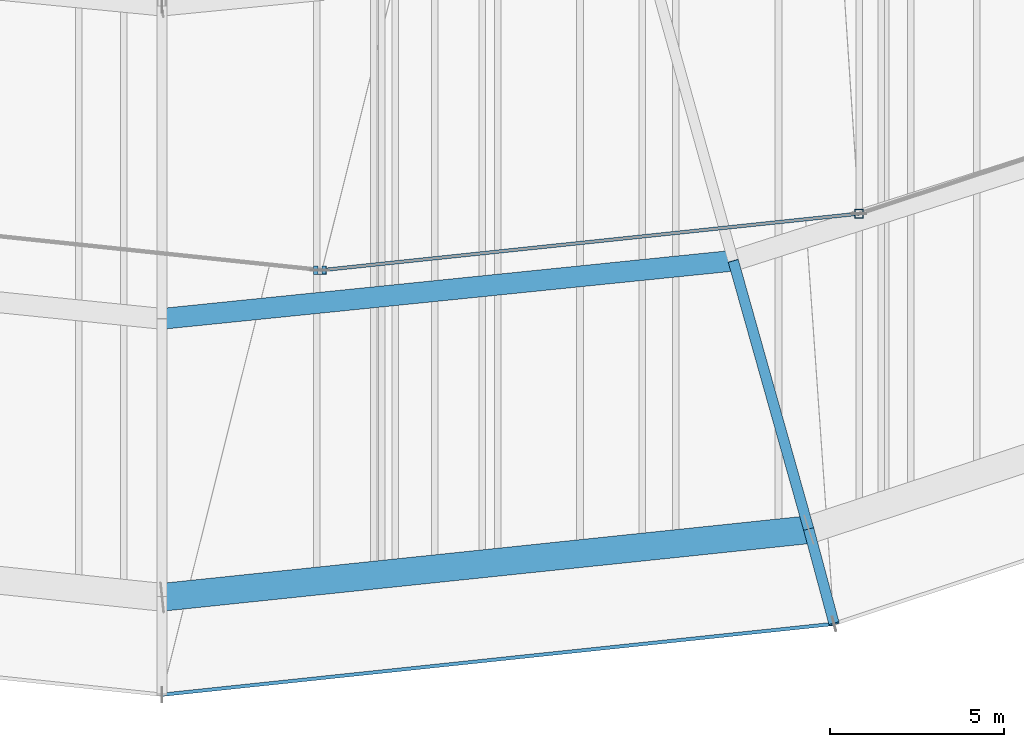
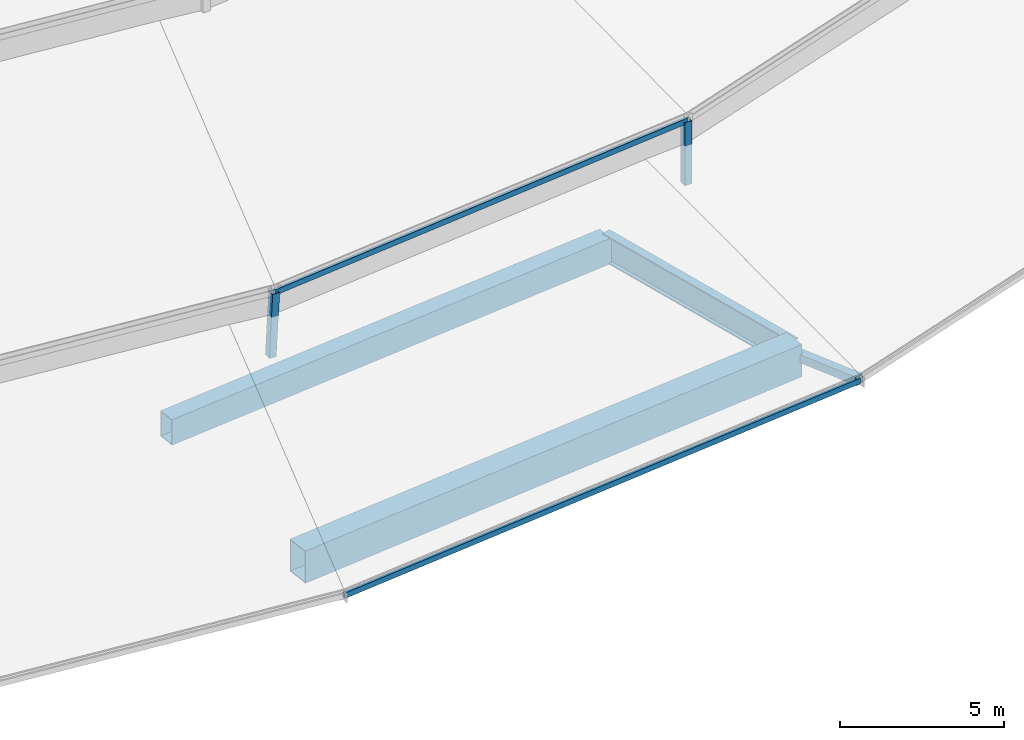
# One storey, part 33 of 184: 5 members, 3 beams.
"""IFC4 building model written with IfcOpenShell, lengths in metres."""

import ifcopenshell
import ifcopenshell.guid

model = None  # the IFC model being written
_history = None  # IfcOwnerHistory: only IFC2X3 demands one
_inside = {}  # id of a spatial element -> (the spatial element, [elements in it])
_under = {}  # id of a project, library or spatial element -> (it, [spatial elements below it])
_declared = {}  # id of a project -> (the project, [libraries it declares])
_typed = {}  # id of a type object -> (the type object, [elements of that type])
_made_of = {}  # id of a material, layer set ... -> (it, [elements and type objects made of it])


def new_model(schema):
    """Start an empty IFC model of exactly this schema.

    Asked for "IFC4X3", IfcOpenShell would pick the latest addendum, in which some entities
    have other attributes; the version numbers below select the first issue.
    IFC2X3 requires an IfcOwnerHistory on every rooted entity: one is made here for all.
    """
    global model, _history
    if schema == "IFC4X3":
        model = ifcopenshell.file(schema_version=(4, 3, 0, 0))
    else:
        model = ifcopenshell.file(schema=schema)
    _inside.clear()
    _under.clear()
    _declared.clear()
    _typed.clear()
    _made_of.clear()
    _history = None
    if model.schema == "IFC2X3":
        org = make("IfcOrganization", Name="unknown")
        user = make(
            "IfcPersonAndOrganization",
            ThePerson=make("IfcPerson", FamilyName="unknown"),
            TheOrganization=org,
        )
        app = make(
            "IfcApplication",
            ApplicationDeveloper=org,
            Version="unknown",
            ApplicationFullName="unknown",
            ApplicationIdentifier="unknown",
        )
        _history = make(
            "IfcOwnerHistory",
            OwningUser=user,
            OwningApplication=app,
            ChangeAction="ADDED",
            CreationDate=0,
        )
    return model


def make(cls, **values):
    """One entity of the class cls with the attributes given. An attribute that is None is left unset."""
    return model.create_entity(
        cls, **{name: value for name, value in values.items() if value is not None}
    )


def rooted(cls, **values):
    """An entity with a GlobalId (a new one), such as an element, a storey or a relation."""
    return make(cls, GlobalId=ifcopenshell.guid.new(), OwnerHistory=_history, **values)


def si_unit(unit_type, name, prefix=None):
    """IfcSIUnit, for example si_unit("LENGTHUNIT", "METRE", prefix="MILLI")."""
    return make("IfcSIUnit", UnitType=unit_type, Prefix=prefix, Name=name)


def assignment(units):
    """IfcUnitAssignment: the units of a project."""
    return None if units is None else make("IfcUnitAssignment", Units=units)


def point(xyz):
    """IfcCartesianPoint."""
    return None if xyz is None else make("IfcCartesianPoint", Coordinates=xyz)


def direction(xyz):
    """IfcDirection."""
    return None if xyz is None else make("IfcDirection", DirectionRatios=xyz)


def frame(location, z_axis=None, x_axis=None):
    """IfcAxis2Placement3D, a coordinate frame: its origin and axes. An axis left out is left unset."""
    return make(
        "IfcAxis2Placement3D",
        Location=point(location),
        Axis=direction(z_axis),
        RefDirection=direction(x_axis),
    )


def frame_2d(location, x_axis=None):
    """IfcAxis2Placement2D, a coordinate frame in the plane: its origin and x axis."""
    return make(
        "IfcAxis2Placement2D", Location=point(location), RefDirection=direction(x_axis)
    )


def origin():
    """The frame at (0, 0, 0) with its axes left unset."""
    return frame((0.0, 0.0, 0.0))


def origin_2d():
    """The frame at (0, 0) in the plane with its x axis left unset."""
    return frame_2d((0.0, 0.0))


def place(relative_to, where):
    """IfcLocalPlacement: puts the frame where relative to a parent placement (None: the world)."""
    return make(
        "IfcLocalPlacement", PlacementRelTo=relative_to, RelativePlacement=where
    )


def context(
    kind, dimensions, precision=None, world=None, true_north=None, identifier=None
):
    """IfcGeometricRepresentationContext, for example the 3D "Model" context."""
    return make(
        "IfcGeometricRepresentationContext",
        ContextIdentifier=identifier,
        ContextType=kind,
        CoordinateSpaceDimension=dimensions,
        Precision=precision,
        WorldCoordinateSystem=world,
        TrueNorth=true_north,
    )


def subcontext(parent, identifier, kind, view, scale=None):
    """IfcGeometricRepresentationSubContext, for example "Body" below "Model"."""
    return make(
        "IfcGeometricRepresentationSubContext",
        ContextIdentifier=identifier,
        ContextType=kind,
        ParentContext=parent,
        TargetScale=scale,
        TargetView=view,
    )


def project(units=None, contexts=None):
    """IfcProject with its units and contexts."""
    return rooted(
        "IfcProject",
        Name="project",
        RepresentationContexts=contexts,
        UnitsInContext=assignment(units),
    )


def spatial(cls, under=None, at=None, **own):
    """A site, building, storey or space (cls), placed at a placement, below another one or the project."""
    s = rooted(cls, ObjectPlacement=at, **own)
    if under is not None:
        _under.setdefault(under.id(), (under, []))[1].append(s)
    return s


def profile(cls, at=None, kind="AREA", **sizes):
    """A parametric profile (cls). Its sizes go by their IFC names, for example OverallWidth=200.0."""
    return make(cls, ProfileType=kind, Position=at, **sizes)


def hollow_rectangle(**sizes):
    """IfcRectangleHollowProfileDef."""
    return profile("IfcRectangleHollowProfileDef", **sizes)


def i_section(**sizes):
    """IfcIShapeProfileDef."""
    return profile("IfcIShapeProfileDef", **sizes)


def extrude(swept, where, along, depth):
    """IfcExtrudedAreaSolid: the profile swept, set in the frame where, extruded along a direction by depth."""
    return make(
        "IfcExtrudedAreaSolid",
        SweptArea=swept,
        Position=where,
        ExtrudedDirection=direction(along),
        Depth=depth,
    )


def shape(context_of_items, identifier, shape_type, items):
    """IfcShapeRepresentation: the items that make up one representation, for example the "Body"."""
    return make(
        "IfcShapeRepresentation",
        ContextOfItems=context_of_items,
        RepresentationIdentifier=identifier,
        RepresentationType=shape_type,
        Items=items,
    )


def material(Name=None, Category=None):
    """IfcMaterial."""
    return make("IfcMaterial", Name=Name, Category=Category)


def material_profile(
    of_material, cross_section, Name=None, Category=None, Priority=None
):
    """IfcMaterialProfile: a cross section and its material."""
    return make(
        "IfcMaterialProfile",
        Name=Name,
        Material=of_material,
        Profile=cross_section,
        Priority=Priority,
        Category=Category,
    )


def profile_set(profiles, Name=None, composite=None):
    """IfcMaterialProfileSet."""
    return make(
        "IfcMaterialProfileSet",
        Name=Name,
        MaterialProfiles=profiles,
        CompositeProfile=composite,
    )


def made_of(thing, what):
    """Note that an element or type object is made of a material, layer set ...; save() writes the relation."""
    if what is not None:
        _made_of.setdefault(what.id(), (what, []))[1].append(thing)
    return thing


def type_object(cls, material=None, **own):
    """A type object (cls), such as IfcWallType, which elements share."""
    return made_of(rooted(cls, **own), material)


def element(
    cls,
    number,
    at=None,
    inside=None,
    cuts=None,
    type_object=None,
    material=None,
    context=None,
    identifier="Body",
    shape_type=None,
    held_by="IfcProductDefinitionShape",
    body=None,
    shapes=None,
    **own,
):
    """One element of the class cls, such as IfcWall. Its Tag is "e" and its number.

    at: its placement. inside: the storey or other place that contains it. cuts: it is an
    opening in that element (IfcRelVoidsElement). A single representation is given by context,
    identifier, shape_type and body (its items); several are given by shapes. held_by: the class
    of the entity that holds the representations. save() writes the other relations.
    """
    e = rooted(cls, Tag="e%d" % number, ObjectPlacement=at, **own)
    if body is not None:
        shapes = [shape(context, identifier, shape_type, body)]
    if shapes is not None:
        e.Representation = make(held_by, Representations=shapes)
    if inside is not None:
        _inside.setdefault(inside.id(), (inside, []))[1].append(e)
    if cuts is not None:
        rooted(
            "IfcRelVoidsElement", RelatingBuildingElement=cuts, RelatedOpeningElement=e
        )
    if type_object is not None:
        _typed.setdefault(type_object.id(), (type_object, []))[1].append(e)
    return made_of(e, material)


def aggregate(whole, parts):
    """IfcRelAggregates: a whole, such as a stair, and the parts it consists of."""
    return rooted("IfcRelAggregates", RelatingObject=whole, RelatedObjects=parts)


def save(model, path):
    """Write the relations noted so far, then the file.

    IfcRelAggregates (storeys below a building ...), IfcRelContainedInSpatialStructure (elements
    in a storey), IfcRelDefinesByType, IfcRelAssociatesMaterial and IfcRelDeclares: one each for
    every whole, place, type object, material and project.
    """
    for whole, parts in _under.values():
        aggregate(whole, parts)
    for where, things in _inside.values():
        rooted(
            "IfcRelContainedInSpatialStructure",
            RelatedElements=things,
            RelatingStructure=where,
        )
    for kind, things in _typed.values():
        rooted("IfcRelDefinesByType", RelatedObjects=things, RelatingType=kind)
    for what, things in _made_of.values():
        rooted("IfcRelAssociatesMaterial", RelatedObjects=things, RelatingMaterial=what)
    for by, libraries in _declared.values():
        rooted("IfcRelDeclares", RelatingContext=by, RelatedDefinitions=libraries)
    model.write(path)


model = new_model("IFC4")

# Units and contexts
model_context = context("Model", 3, precision=1e-05, world=origin(), true_north=direction((0.0, 1.0)))
body_context = subcontext(model_context, "Body", "Model", "MODEL_VIEW")
ifc_project = project(units=[si_unit("LENGTHUNIT", "METRE"), si_unit("AREAUNIT", "SQUARE_METRE"), si_unit("VOLUMEUNIT", "CUBIC_METRE"), si_unit("PLANEANGLEUNIT", "RADIAN"), si_unit("MASSUNIT", "GRAM", prefix="KILO")], contexts=[model_context])

# Site, building, storey
site_placement = place(None, origin())
site = spatial("IfcSite", under=ifc_project, at=site_placement, CompositionType="ELEMENT")
building_placement = place(site_placement, origin())
building = spatial("IfcBuilding", under=site, at=building_placement, Name="Kalgoora Escarpment Arena", CompositionType="ELEMENT")
storey_placement = place(building_placement, frame((0.0, 0.0, 27.60009765625)))
storey = spatial("IfcBuildingStorey", under=building, at=storey_placement, Name="Roof Level", CompositionType="ELEMENT", Elevation=27.60009765625)

# Beams
ifc_material_1 = material(Name="Structural steel Grade 350 (350 MPa)", Category="steel")
ifc_material_profile_1 = material_profile(ifc_material_1, hollow_rectangle(XDim=0.800048828125, YDim=1.199951171875, WallThickness=0.031982421875, at=origin_2d()))
ifc_profile_set_1 = profile_set([ifc_material_profile_1], Name="Structural steel Grade 350 (350 MPa)")
beam_type_1 = type_object("IfcBeamType", Name="BM-RING-BOX1200", PredefinedType="USERDEFINED", material=ifc_profile_set_1)
beam_1_placement = place(storey_placement, frame((92.39990234375, 7.0, -1.4501953125), z_axis=(0.994583146525, 0.103944045753, 0.0), x_axis=(-0.103944045753, 0.994583146525, 0.0)))
element("IfcBeam", 1, at=beam_1_placement, inside=storey, type_object=beam_type_1, Name="Outer perimeter compression RING BEAM chord 19", ObjectType="GIRDER", PredefinedType="USERDEFINED", context=body_context, shape_type="SweptSolid", body=[
    extrude(hollow_rectangle(XDim=0.800048828125, YDim=1.199951171875, WallThickness=0.031982421875, at=origin_2d()), origin(), (0.0, 0.0, 1.0), 18.6845703125),
])
ifc_material_2 = material(Name="Structural steel Grade 350 (350 MPa)", Category="steel")
ifc_material_profile_2 = material_profile(ifc_material_2, hollow_rectangle(XDim=0.60009765625, YDim=0.949951171875, WallThickness=0.02490234375, at=origin_2d()))
ifc_profile_set_2 = profile_set([ifc_material_profile_2], Name="Structural steel Grade 350 (350 MPa)")
beam_type_2 = type_object("IfcBeamType", Name="BM-RING-BOX950", PredefinedType="USERDEFINED", material=ifc_profile_set_2)
beam_2_placement = place(storey_placement, frame((92.39990234375, 15.0, -1.35009765625), z_axis=(0.994863052963, 0.101229965173, 0.0), x_axis=(-0.101229965173, 0.994863052963, 0.0)))
element("IfcBeam", 2, at=beam_2_placement, inside=storey, type_object=beam_type_2, Name="Concourse roof RING BEAM chord 19", ObjectType="GIRDER", PredefinedType="USERDEFINED", context=body_context, shape_type="SweptSolid", body=[
    extrude(hollow_rectangle(XDim=0.60009765625, YDim=0.949951171875, WallThickness=0.02490234375, at=origin_2d()), origin(), (0.0, 0.0, 1.0), 16.493896484375),
])
ifc_material_3 = material(Name="Structural steel Grade 350 (350 MPa)", Category="steel")
ifc_material_profile_3 = material_profile(ifc_material_3, i_section(OverallWidth=0.300048828125, OverallDepth=1.010009765625, WebThickness=0.01611328125, FlangeThickness=0.030029296875, at=origin_2d()))
ifc_profile_set_3 = profile_set([ifc_material_profile_3], Name="Structural steel Grade 350 (350 MPa)")
beam_type_3 = type_object("IfcBeamType", Name="BM-TRUSS-CHORD", PredefinedType="USERDEFINED", material=ifc_profile_set_3)
beam_3_placement = place(storey_placement, frame((110.983154296875, 8.942138671875, -1.400146484375), z_axis=(-0.270805551558, 0.962553320372, 0.012468307259), x_axis=(-0.962628147734, -0.27082660355, 0.0)))
element("IfcBeam", 3, at=beam_3_placement, inside=storey, type_object=beam_type_3, Name="Outer radial petal support girder R20", ObjectType="GIRDER", PredefinedType="USERDEFINED", context=body_context, shape_type="SweptSolid", body=[
    extrude(i_section(OverallWidth=0.300048828125, OverallDepth=1.010009765625, WebThickness=0.01611328125, FlangeThickness=0.030029296875, at=origin_2d()), origin(), (0.0, 0.0, 1.0), 8.028076171875),
])

# Members
ifc_material_4 = material(Name="Structural steel C450 (450 MPa)", Category="steel")
ifc_material_profile_4 = material_profile(ifc_material_4, hollow_rectangle(XDim=0.25, YDim=0.25, WallThickness=0.012451171875, at=origin_2d()))
ifc_profile_set_4 = profile_set([ifc_material_profile_4], Name="Structural steel C450 (450 MPa)")
member_type_1 = type_object("IfcMemberType", Name="MEM-PETAL-POST", PredefinedType="POST", material=ifc_profile_set_4)
member_1_placement = place(storey_placement, frame((96.8798828125, 16.39990234375, -1.080078125), z_axis=(0.051156252532, 0.0, 0.99869066173), x_axis=(0.0, 1.0, 0.0)))
element("IfcMember", 4, at=member_1_placement, inside=storey, type_object=member_type_1, Name="Petal RP2 vertical support post S19", PredefinedType="POST", context=body_context, shape_type="SweptSolid", body=[
    extrude(hollow_rectangle(XDim=0.25, YDim=0.25, WallThickness=0.012451171875, at=origin_2d()), origin(), (0.0, 0.0, 1.0), 2.34814453125),
])
member_2_placement = place(storey_placement, frame((112.425537109375, 18.02197265625, -1.080078125), z_axis=(0.0, 0.0, 1.0), x_axis=(1.0, 0.0, 0.0)))
element("IfcMember", 5, at=member_2_placement, inside=storey, type_object=member_type_1, Name="Petal RP2 vertical support post S20", PredefinedType="POST", context=body_context, shape_type="SweptSolid", body=[
    extrude(hollow_rectangle(XDim=0.25, YDim=0.25, WallThickness=0.012451171875, at=origin_2d()), origin(), (0.0, 0.0, 1.0), 2.344970703125),
])
ifc_material_5 = material(Name="Structural steel C350 (350 MPa)", Category="steel")
ifc_material_profile_5 = material_profile(ifc_material_5, hollow_rectangle(XDim=0.10009765625, YDim=0.199951171875, WallThickness=0.009033203125, at=origin_2d()))
ifc_profile_set_5 = profile_set([ifc_material_profile_5], Name="Structural steel C350 (350 MPa)")
member_type_2 = type_object("IfcMemberType", Name="MEM-PURLIN-RHS", PredefinedType="PURLIN", material=ifc_profile_set_5)
member_3_placement = place(storey_placement, frame((92.39990234375, 4.199951171875, -1.02001953125), z_axis=(0.994477719458, 0.104947918046, 0.0), x_axis=(-0.104947918046, 0.994477719458, 0.0)))
element("IfcMember", 6, at=member_3_placement, inside=storey, type_object=member_type_2, Name="Petal RP1 eave support ring purlin S19", PredefinedType="PURLIN", context=body_context, shape_type="SweptSolid", body=[
    extrude(hollow_rectangle(XDim=0.10009765625, YDim=0.199951171875, WallThickness=0.009033203125, at=origin_2d()), origin(), (0.0, 0.0, 1.0), 19.415283203125),
])
member_4_placement = place(storey_placement, frame((97.0, 16.39990234375, 1.244873046875), z_axis=(0.994516659455, 0.104578267658, 0.0), x_axis=(-0.104578267658, 0.994516659455, 0.0)))
element("IfcMember", 7, at=member_4_placement, inside=storey, type_object=member_type_2, Name="Petal RP2 eave support ring purlin S19", PredefinedType="PURLIN", context=body_context, shape_type="SweptSolid", body=[
    extrude(hollow_rectangle(XDim=0.10009765625, YDim=0.199951171875, WallThickness=0.009033203125, at=origin_2d()), origin(), (0.0, 0.0, 1.0), 15.510498046875),
])
ifc_material_6 = material(Name="Structural steel C450 (450 MPa)", Category="steel")
ifc_material_profile_6 = material_profile(ifc_material_6, hollow_rectangle(XDim=0.300048828125, YDim=0.300048828125, WallThickness=0.012451171875, at=origin_2d()))
ifc_profile_set_6 = profile_set([ifc_material_profile_6], Name="Structural steel C450 (450 MPa)")
member_type_3 = type_object("IfcMemberType", Name="MEM-TRUSS-POST", PredefinedType="POST", material=ifc_profile_set_6)
member_5_placement = place(storey_placement, frame((110.983154296875, 8.942138671875, -1.400146484375), z_axis=(0.256269035723, -0.956196826452, 0.141470174991), x_axis=(0.965911463294, 0.258872642582, 0.0)))
element("IfcMember", 8, at=member_5_placement, inside=storey, type_object=member_type_3, Name="Petal RP1 eave strut S20", PredefinedType="POST", context=body_context, shape_type="SweptSolid", body=[
    extrude(hollow_rectangle(XDim=0.300048828125, YDim=0.300048828125, WallThickness=0.012451171875, at=origin_2d()), origin(), (0.0, 0.0, 1.0), 2.828369140625),
])

save(model, "model.ifc")
